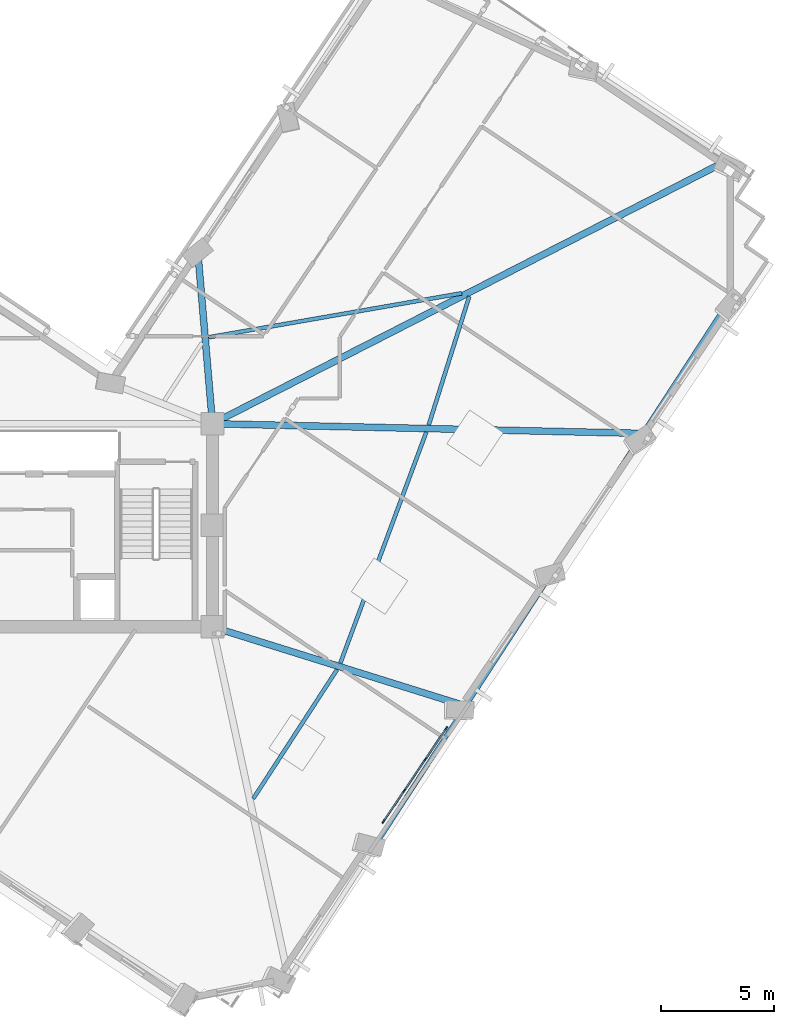
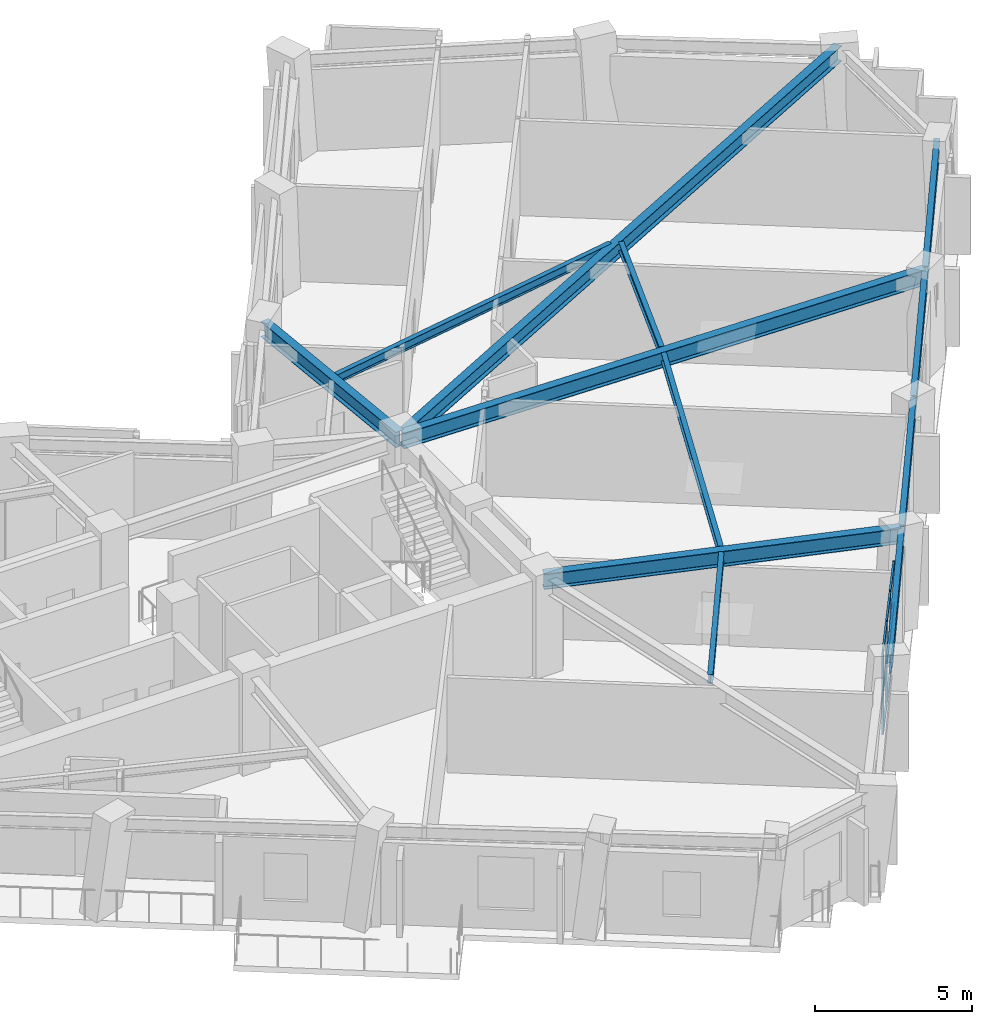
# One storey, part 2 of 14: 13 members, 12 beams, 1 element without a shape of its own.
"""IFC4 building model written with IfcOpenShell, lengths in metres."""

from ifc_helpers import new_model, si_unit, direction, frame, origin, origin_2d, place, context, subcontext, project, spatial, rectangle, i_section, extrude, material, material_profile, profile_set, type_object, element, aggregate, save


model = new_model("IFC4")

# Units and contexts
model_context = context("Model", 3, precision=1e-05, world=origin(), true_north=direction((0.0, 1.0)))
body_context = subcontext(model_context, "Body", "Model", "MODEL_VIEW")
ifc_project = project(units=[si_unit("LENGTHUNIT", "METRE"), si_unit("AREAUNIT", "SQUARE_METRE"), si_unit("VOLUMEUNIT", "CUBIC_METRE"), si_unit("PLANEANGLEUNIT", "RADIAN"), si_unit("MASSUNIT", "GRAM", prefix="KILO")], contexts=[model_context])

# Site, building, storey
site_placement = place(None, origin())
site = spatial("IfcSite", under=ifc_project, at=site_placement, CompositionType="ELEMENT")
building_placement = place(site_placement, origin())
building = spatial("IfcBuilding", under=site, at=building_placement, Name="Gaonmaruhae Medical Tower", CompositionType="ELEMENT")
storey_placement = place(building_placement, frame((0.0, 0.0, 263.199951171875)))
storey = spatial("IfcBuildingStorey", under=building, at=storey_placement, Name="L63", CompositionType="ELEMENT", Elevation=263.199951171875)

# Curtain wall, members
ifc_material_1 = material(Name="Anodised aluminium and Low-E double glazing", Category="aluminium")
curtain_wall_type = type_object("IfcCurtainWallType", Name="CW-S3 Spiralling Dayroom Ribbon Curtain Wall", PredefinedType="NOTDEFINED", material=ifc_material_1)
curtain_wall_placement = place(storey_placement, origin())
curtain_wall = element("IfcCurtainWall", 1, at=curtain_wall_placement, inside=storey, type_object=curtain_wall_type, Name="L63 Curtain Wall CW-L63-S02", PredefinedType="NOTDEFINED")
ifc_material_2 = material(Name="Anodised aluminium 6063-T6", Category="aluminium")
ifc_material_profile_1 = material_profile(ifc_material_2, rectangle(XDim=0.06494140625, YDim=0.179931640625, at=origin_2d()), Name="CWM-65x180")
ifc_profile_set_1 = profile_set([ifc_material_profile_1], Name="Anodised aluminium 6063-T6")
member_type_1 = type_object("IfcMemberType", Name="CWM-2 Tower Feature Curtain Wall Mullion (CWM-65x180)", PredefinedType="MULLION", material=ifc_profile_set_1)
member_1_placement = place(storey_placement, frame((45.951904296875, 3.305908203125, 0.0), z_axis=(0.0, 0.0, 1.0), x_axis=(0.829530969938, -0.558460714745, 0.0)))
member_1 = element("IfcMember", 2, at=member_1_placement, type_object=member_type_1, Name="CW-S3 mullion 1", PredefinedType="MULLION", context=body_context, shape_type="SweptSolid", body=[
    extrude(rectangle(XDim=0.06494140625, YDim=0.179931640625, at=origin_2d()), origin(), (0.0, 0.0, 1.0), 3.18505859375),
])
member_2_placement = place(storey_placement, frame((45.032470703125, 1.940185546875, 0.0), z_axis=(0.0, 0.0, 1.0), x_axis=(0.829530969938, -0.558460714745, 0.0)))
member_2 = element("IfcMember", 3, at=member_2_placement, type_object=member_type_1, Name="CW-S3 mullion 2", PredefinedType="MULLION", context=body_context, shape_type="SweptSolid", body=[
    extrude(rectangle(XDim=0.06494140625, YDim=0.179931640625, at=origin_2d()), origin(), (0.0, 0.0, 1.0), 3.18505859375),
])
member_3_placement = place(storey_placement, frame((44.0947265625, 0.54736328125, 0.0), z_axis=(0.0, 0.0, 1.0), x_axis=(0.829530969938, -0.558460714745, 0.0)))
member_3 = element("IfcMember", 4, at=member_3_placement, type_object=member_type_1, Name="CW-S3 mullion 3", PredefinedType="MULLION", context=body_context, shape_type="SweptSolid", body=[
    extrude(rectangle(XDim=0.06494140625, YDim=0.179931640625, at=origin_2d()), origin(), (0.0, 0.0, 1.0), 3.18505859375),
])
member_4_placement = place(storey_placement, frame((43.17529296875, -0.818359375, 0.0), z_axis=(0.0, 0.0, 1.0), x_axis=(0.829530969938, -0.558460714745, 0.0)))
member_4 = element("IfcMember", 5, at=member_4_placement, type_object=member_type_1, Name="CW-S3 mullion 4", PredefinedType="MULLION", context=body_context, shape_type="SweptSolid", body=[
    extrude(rectangle(XDim=0.06494140625, YDim=0.179931640625, at=origin_2d()), origin(), (0.0, 0.0, 1.0), 3.18505859375),
])
ifc_material_profile_2 = material_profile(ifc_material_2, rectangle(XDim=0.06494140625, YDim=0.139892578125, at=origin_2d()), Name="CWT-65x140")
ifc_profile_set_2 = profile_set([ifc_material_profile_2], Name="Anodised aluminium 6063-T6")
member_type_2 = type_object("IfcMemberType", Name="CWT-2 Tower Feature Curtain Wall Transom (CWT-65x140)", PredefinedType="USERDEFINED", material=ifc_profile_set_2)
member_5_placement = place(storey_placement, frame((45.93359375, 3.27880859375, 0.032470703125), z_axis=(-0.558435624747, -0.829547860593, 0.0), x_axis=(0.829547860593, -0.558435624747, 0.0)))
member_5 = element("IfcMember", 6, at=member_5_placement, type_object=member_type_2, Name="CW-S3 transom 1.1", ObjectType="TRANSOM", PredefinedType="USERDEFINED", context=body_context, shape_type="SweptSolid", body=[
    extrude(rectangle(XDim=0.06494140625, YDim=0.139892578125, at=origin_2d()), origin(), (0.0, 0.0, 1.0), 1.581298828125),
])
member_6_placement = place(storey_placement, frame((45.93359375, 3.27880859375, 1.592529296875), z_axis=(-0.558435624747, -0.829547860593, 0.0), x_axis=(0.829547860593, -0.558435624747, 0.0)))
member_6 = element("IfcMember", 7, at=member_6_placement, type_object=member_type_2, Name="CW-S3 transom 1.2", ObjectType="TRANSOM", PredefinedType="USERDEFINED", context=body_context, shape_type="SweptSolid", body=[
    extrude(rectangle(XDim=0.06494140625, YDim=0.139892578125, at=origin_2d()), origin(), (0.0, 0.0, 1.0), 1.581298828125),
])
member_7_placement = place(storey_placement, frame((45.93359375, 3.27880859375, 3.152587890625), z_axis=(-0.558435624747, -0.829547860593, 0.0), x_axis=(0.829547860593, -0.558435624747, 0.0)))
member_7 = element("IfcMember", 8, at=member_7_placement, type_object=member_type_2, Name="CW-S3 transom 1.3", ObjectType="TRANSOM", PredefinedType="USERDEFINED", context=body_context, shape_type="SweptSolid", body=[
    extrude(rectangle(XDim=0.06494140625, YDim=0.139892578125, at=origin_2d()), origin(), (0.0, 0.0, 1.0), 1.581298828125),
])
member_8_placement = place(storey_placement, frame((45.01416015625, 1.9130859375, 0.032470703125), z_axis=(-0.558430431645, -0.829551356465, 0.0), x_axis=(0.829551356465, -0.558430431645, 0.0)))
member_8 = element("IfcMember", 9, at=member_8_placement, type_object=member_type_2, Name="CW-S3 transom 2.1", ObjectType="TRANSOM", PredefinedType="USERDEFINED", context=body_context, shape_type="SweptSolid", body=[
    extrude(rectangle(XDim=0.06494140625, YDim=0.139892578125, at=origin_2d()), origin(), (0.0, 0.0, 1.0), 1.61376953125),
])
member_9_placement = place(storey_placement, frame((45.01416015625, 1.9130859375, 1.592529296875), z_axis=(-0.558430431645, -0.829551356465, 0.0), x_axis=(0.829551356465, -0.558430431645, 0.0)))
member_9 = element("IfcMember", 10, at=member_9_placement, type_object=member_type_2, Name="CW-S3 transom 2.2", ObjectType="TRANSOM", PredefinedType="USERDEFINED", context=body_context, shape_type="SweptSolid", body=[
    extrude(rectangle(XDim=0.06494140625, YDim=0.139892578125, at=origin_2d()), origin(), (0.0, 0.0, 1.0), 1.61376953125),
])
member_10_placement = place(storey_placement, frame((45.01416015625, 1.9130859375, 3.152587890625), z_axis=(-0.558430431645, -0.829551356465, 0.0), x_axis=(0.829551356465, -0.558430431645, 0.0)))
member_10 = element("IfcMember", 11, at=member_10_placement, type_object=member_type_2, Name="CW-S3 transom 2.3", ObjectType="TRANSOM", PredefinedType="USERDEFINED", context=body_context, shape_type="SweptSolid", body=[
    extrude(rectangle(XDim=0.06494140625, YDim=0.139892578125, at=origin_2d()), origin(), (0.0, 0.0, 1.0), 1.61376953125),
])
member_11_placement = place(storey_placement, frame((44.07666015625, 0.5205078125, 0.032470703125), z_axis=(-0.558435624747, -0.829547860593, 0.0), x_axis=(0.829547860593, -0.558435624747, 0.0)))
member_11 = element("IfcMember", 12, at=member_11_placement, type_object=member_type_2, Name="CW-S3 transom 3.1", ObjectType="TRANSOM", PredefinedType="USERDEFINED", context=body_context, shape_type="SweptSolid", body=[
    extrude(rectangle(XDim=0.06494140625, YDim=0.139892578125, at=origin_2d()), origin(), (0.0, 0.0, 1.0), 1.581298828125),
])
member_12_placement = place(storey_placement, frame((44.07666015625, 0.5205078125, 1.592529296875), z_axis=(-0.558435624747, -0.829547860593, 0.0), x_axis=(0.829547860593, -0.558435624747, 0.0)))
member_12 = element("IfcMember", 13, at=member_12_placement, type_object=member_type_2, Name="CW-S3 transom 3.2", ObjectType="TRANSOM", PredefinedType="USERDEFINED", context=body_context, shape_type="SweptSolid", body=[
    extrude(rectangle(XDim=0.06494140625, YDim=0.139892578125, at=origin_2d()), origin(), (0.0, 0.0, 1.0), 1.581298828125),
])
member_13_placement = place(storey_placement, frame((44.07666015625, 0.5205078125, 3.152587890625), z_axis=(-0.558435624747, -0.829547860593, 0.0), x_axis=(0.829547860593, -0.558435624747, 0.0)))
member_13 = element("IfcMember", 14, at=member_13_placement, type_object=member_type_2, Name="CW-S3 transom 3.3", ObjectType="TRANSOM", PredefinedType="USERDEFINED", context=body_context, shape_type="SweptSolid", body=[
    extrude(rectangle(XDim=0.06494140625, YDim=0.139892578125, at=origin_2d()), origin(), (0.0, 0.0, 1.0), 1.581298828125),
])
aggregate(curtain_wall, [member_1, member_2, member_3, member_4, member_5, member_6, member_7, member_8, member_9, member_10, member_11, member_12, member_13])

# Beams
ifc_material_3 = material(Name="Steel SM355", Category="steel")
ifc_material_profile_3 = material_profile(ifc_material_3, i_section(OverallWidth=0.175048828125, OverallDepth=0.35009765625, WebThickness=0.007080078125, FlangeThickness=0.010986328125, FilletRadius=0.012939453125, at=origin_2d()), Name="H-350x175x7x11")
ifc_profile_set_3 = profile_set([ifc_material_profile_3], Name="Steel SM355")
beam_type_1 = type_object("IfcBeamType", Name="FJ-02 Upper Zone Ward Floor Joist (H-350x175x7x11)", PredefinedType="JOIST", material=ifc_profile_set_3)
beam_1_placement = place(storey_placement, frame((37.404052734375, 0.19140625, 3.525146484375), z_axis=(0.544632254709, 0.838674971089, 0.0), x_axis=(-0.838674971089, 0.544632254709, 0.0)))
element("IfcBeam", 15, at=beam_1_placement, inside=storey, type_object=beam_type_1, Name="L63 Secondary Floor Joist FJ01", PredefinedType="JOIST", context=body_context, shape_type="SweptSolid", body=[
    extrude(i_section(OverallWidth=0.175048828125, OverallDepth=0.35009765625, WebThickness=0.007080078125, FlangeThickness=0.010986328125, FilletRadius=0.012939453125, at=origin_2d()), origin(), (0.0, 0.0, 1.0), 6.82080078125),
])
beam_2_placement = place(storey_placement, frame((41.261474609375, 6.19384765625, 3.525146484375), z_axis=(0.348753800651, 0.937214375974, 0.0), x_axis=(-0.937214375974, 0.348753800651, 0.0)))
element("IfcBeam", 16, at=beam_2_placement, inside=storey, type_object=beam_type_1, Name="L63 Secondary Floor Joist FJ02", PredefinedType="JOIST", context=body_context, shape_type="SweptSolid", body=[
    extrude(i_section(OverallWidth=0.175048828125, OverallDepth=0.35009765625, WebThickness=0.007080078125, FlangeThickness=0.010986328125, FilletRadius=0.012939453125, at=origin_2d()), origin(), (0.0, 0.0, 1.0), 10.92333984375),
])
beam_3_placement = place(storey_placement, frame((45.17724609375, 16.74072265625, 3.525146484375), z_axis=(0.300476483426, 0.953789223523, 0.0), x_axis=(-0.953789223523, 0.300476483426, 0.0)))
element("IfcBeam", 17, at=beam_3_placement, inside=storey, type_object=beam_type_1, Name="L63 Secondary Floor Joist FJ03", PredefinedType="JOIST", context=body_context, shape_type="SweptSolid", body=[
    extrude(i_section(OverallWidth=0.175048828125, OverallDepth=0.35009765625, WebThickness=0.007080078125, FlangeThickness=0.010986328125, FilletRadius=0.012939453125, at=origin_2d()), origin(), (0.0, 0.0, 1.0), 5.9775390625),
])
beam_4_placement = place(storey_placement, frame((46.643798828125, 22.580078125, 3.525146484375), z_axis=(-0.985170800211, -0.171576497261, 0.0), x_axis=(0.171576497261, -0.985170800211, 0.0)))
element("IfcBeam", 18, at=beam_4_placement, inside=storey, type_object=beam_type_1, Name="L63 Secondary Floor Joist FJ04", PredefinedType="JOIST", context=body_context, shape_type="SweptSolid", body=[
    extrude(i_section(OverallWidth=0.175048828125, OverallDepth=0.35009765625, WebThickness=0.007080078125, FlangeThickness=0.010986328125, FilletRadius=0.012939453125, at=origin_2d()), origin(), (0.0, 0.0, 1.0), 11.38330078125),
])
ifc_material_4 = material(Name="Steel SM420", Category="steel")
ifc_material_profile_4 = material_profile(ifc_material_4, i_section(OverallWidth=0.300048828125, OverallDepth=0.60009765625, WebThickness=0.011962890625, FlangeThickness=0.02001953125, FilletRadius=0.012939453125, at=origin_2d()), Name="H-600x300x12x20")
ifc_profile_set_4 = profile_set([ifc_material_profile_4], Name="Steel SM420")
beam_type_2 = type_object("IfcBeamType", Name="PG-04 Zone 4 Radial Floor Girder (H-600x300x12x20)", PredefinedType="BEAM", material=ifc_profile_set_4)
beam_5_placement = place(storey_placement, frame((35.647705078125, 7.78515625, 3.400146484375), z_axis=(0.954467297981, -0.298315566279, 0.0), x_axis=(0.298315566279, 0.954467297981, 0.0)))
element("IfcBeam", 19, at=beam_5_placement, inside=storey, type_object=beam_type_2, Name="L63 Radial Primary Girder S03", PredefinedType="BEAM", context=body_context, shape_type="SweptSolid", body=[
    extrude(i_section(OverallWidth=0.300048828125, OverallDepth=0.60009765625, WebThickness=0.011962890625, FlangeThickness=0.02001953125, FilletRadius=0.012939453125, at=origin_2d()), origin(), (0.0, 0.0, 1.0), 11.649169921875),
])
beam_6_placement = place(storey_placement, frame((35.64990234375, 16.798828125, 3.400146484375), z_axis=(0.999747862095, -0.022454670713, 0.0), x_axis=(0.022454670713, 0.999747862095, 0.0)))
element("IfcBeam", 20, at=beam_6_placement, inside=storey, type_object=beam_type_2, Name="L63 Radial Primary Girder S05", PredefinedType="BEAM", context=body_context, shape_type="SweptSolid", body=[
    extrude(i_section(OverallWidth=0.300048828125, OverallDepth=0.60009765625, WebThickness=0.011962890625, FlangeThickness=0.02001953125, FilletRadius=0.012939453125, at=origin_2d()), origin(), (0.0, 0.0, 1.0), 18.9619140625),
])
beam_7_placement = place(storey_placement, frame((35.64453125, 16.82275390625, 3.400146484375), z_axis=(0.890361653646, 0.455253913455, 0.0), x_axis=(-0.455253913455, 0.890361653646, 0.0)))
element("IfcBeam", 21, at=beam_7_placement, inside=storey, type_object=beam_type_2, Name="L63 Radial Primary Girder E01", PredefinedType="BEAM", context=body_context, shape_type="SweptSolid", body=[
    extrude(i_section(OverallWidth=0.300048828125, OverallDepth=0.60009765625, WebThickness=0.011962890625, FlangeThickness=0.02001953125, FilletRadius=0.012939453125, at=origin_2d()), origin(), (0.0, 0.0, 1.0), 25.59423828125),
])
beam_8_placement = place(storey_placement, frame((35.595703125, 16.849853515625, 3.400146484375), z_axis=(-0.085197850642, 0.996364053068, 0.0), x_axis=(-0.996364053068, -0.085197850642, 0.0)))
element("IfcBeam", 22, at=beam_8_placement, inside=storey, type_object=beam_type_2, Name="L63 Radial Primary Girder EN02", PredefinedType="BEAM", context=body_context, shape_type="SweptSolid", body=[
    extrude(i_section(OverallWidth=0.300048828125, OverallDepth=0.60009765625, WebThickness=0.011962890625, FlangeThickness=0.02001953125, FilletRadius=0.012939453125, at=origin_2d()), origin(), (0.0, 0.0, 1.0), 7.52783203125),
])
ifc_material_profile_5 = material_profile(ifc_material_3, i_section(OverallWidth=0.199951171875, OverallDepth=0.5, WebThickness=0.010009765625, FlangeThickness=0.01611328125, FilletRadius=0.012939453125, at=origin_2d()), Name="H-500x200x10x16")
ifc_profile_set_5 = profile_set([ifc_material_profile_5], Name="Steel SM355")
beam_type_3 = type_object("IfcBeamType", Name="SP-02 Upper Perimeter Spandrel Beam (H-500x200x10x16)", PredefinedType="SPANDREL", material=ifc_profile_set_5)
beam_9_placement = place(storey_placement, frame((42.914306640625, -1.709716796875, 3.449951171875), z_axis=(0.544658066285, 0.838658208587, 0.0), x_axis=(-0.838658208587, 0.544658066285, 0.0)))
element("IfcBeam", 23, at=beam_9_placement, inside=storey, type_object=beam_type_3, Name="L63 Perimeter Spandrel Beam S02-S03", PredefinedType="SPANDREL", context=body_context, shape_type="SweptSolid", body=[
    extrude(i_section(OverallWidth=0.199951171875, OverallDepth=0.5, WebThickness=0.010009765625, FlangeThickness=0.01611328125, FilletRadius=0.012939453125, at=origin_2d()), origin(), (0.0, 0.0, 1.0), 7.119873046875),
])
for number, where, z_axis, x_axis, name in (
    (24, (46.8359375, 4.32861328125, 3.449951171875), (0.544618285545, 0.838684042444, 0.0), (-0.838684042444, 0.544618285545, 0.0), "L63 Perimeter Spandrel Beam S03-S04"),
    (25, (50.75732421875, 10.366943359375, 3.449951171875), (0.544618285545, 0.838684042444, 0.0), (-0.838684042444, 0.544618285545, 0.0), "L63 Perimeter Spandrel Beam S04-S05"),
):
    element("IfcBeam", number, at=place(storey_placement, frame(where, z_axis=z_axis, x_axis=x_axis)), inside=storey, type_object=beam_type_3, Name=name, PredefinedType="SPANDREL", context=body_context, shape_type="SweptSolid", body=[
        extrude(i_section(OverallWidth=0.199951171875, OverallDepth=0.5, WebThickness=0.010009765625, FlangeThickness=0.01611328125, FilletRadius=0.012939453125, at=origin_2d()), origin(), (0.0, 0.0, 1.0), 7.1201171875),
    ])
beam_10_placement = place(storey_placement, frame((54.6787109375, 16.405517578125, 3.449951171875), z_axis=(0.544633948011, 0.838673871463, 0.0), x_axis=(-0.838673871463, 0.544633948011, 0.0)))
element("IfcBeam", 26, at=beam_10_placement, inside=storey, type_object=beam_type_3, Name="L63 Perimeter Spandrel Beam S05-S06", PredefinedType="SPANDREL", context=body_context, shape_type="SweptSolid", body=[
    extrude(i_section(OverallWidth=0.199951171875, OverallDepth=0.5, WebThickness=0.010009765625, FlangeThickness=0.01611328125, FilletRadius=0.012939453125, at=origin_2d()), origin(), (0.0, 0.0, 1.0), 7.119873046875),
])

save(model, "model.ifc")
